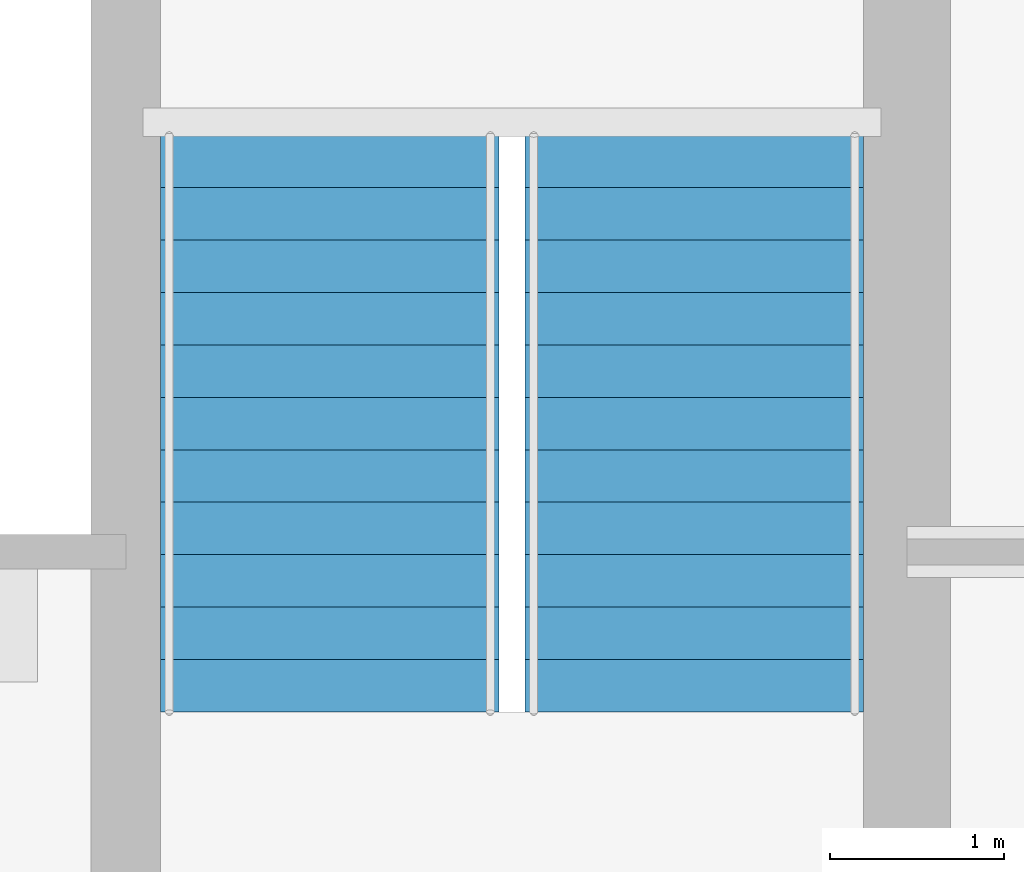
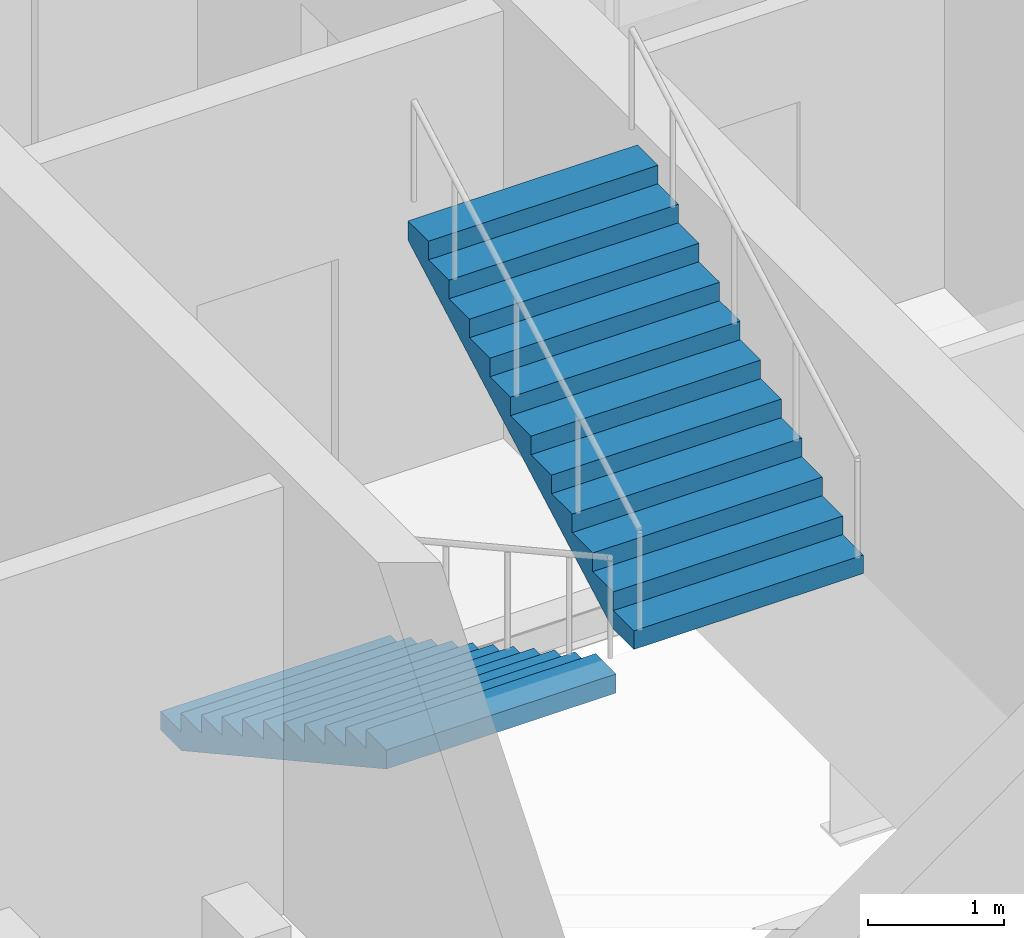
# One storey, part 11 of 13: 2 stair flights, 1 element without a shape of its own.
"""IFC4 building model written with IfcOpenShell, lengths in metres."""

from ifc_helpers import new_model, si_unit, direction, frame, origin, place, context, subcontext, project, spatial, polyline, outline, extrude, material, type_object, element, aggregate, save


model = new_model("IFC4")

# Units and contexts
model_context = context("Model", 3, precision=1e-05, world=origin(), true_north=direction((0.0, 1.0)))
body_context = subcontext(model_context, "Body", "Model", "MODEL_VIEW")
ifc_project = project(units=[si_unit("LENGTHUNIT", "METRE"), si_unit("AREAUNIT", "SQUARE_METRE"), si_unit("VOLUMEUNIT", "CUBIC_METRE"), si_unit("PLANEANGLEUNIT", "RADIAN"), si_unit("MASSUNIT", "GRAM", prefix="KILO")], contexts=[model_context])

# Site, building, storey
site_placement = place(None, origin())
site = spatial("IfcSite", under=ifc_project, at=site_placement, CompositionType="ELEMENT")
building_placement = place(site_placement, origin())
building = spatial("IfcBuilding", under=site, at=building_placement, Name="Corais Broadcast Tower", CompositionType="ELEMENT")
storey_placement = place(building_placement, frame((0.0, 0.0, 167.60009765625)))
storey = spatial("IfcBuildingStorey", under=building, at=storey_placement, Name="L38", CompositionType="ELEMENT", Elevation=167.60009765625)

# Stair, stair flights
ifc_material_1 = material(Name="Concrete C30/37", Category="concrete")
stair_type = type_object("IfcStairType", Name="Half-turn stair 4000", PredefinedType="HALF_TURN_STAIR", material=ifc_material_1)
stair_placement = place(storey_placement, origin())
stair = element("IfcStair", 1, at=stair_placement, inside=storey, type_object=stair_type, Name="Stair B L38", PredefinedType="HALF_TURN_STAIR")
ifc_material_2 = material(Name="Concrete C30/37", Category="concrete")
stair_flight_type = type_object("IfcStairFlightType", Name="Stair flight 4000", PredefinedType="STRAIGHT", material=ifc_material_2)
stair_flight_1_placement = place(storey_placement, frame((37.175048828125, 29.39990234375, 0.0), z_axis=(0.0, 0.0, 1.0), x_axis=(0.0, -1.0, 0.0)))
stair_flight_1 = element("IfcStairFlight", 2, at=stair_flight_1_placement, type_object=stair_flight_type, Name="STB flight 1", NumberOfRisers=12, NumberOfTreads=11, PredefinedType="STRAIGHT", RiserHeight=0.166666667, TreadLength=0.302, context=body_context, shape_type="SweptSolid", body=[
    extrude(outline(polyline([(0.0, 0.0), (0.0, 0.166748046875), (0.302001953125, 0.166748046875), (0.302001953125, 0.333251953125), (0.60400390625, 0.333251953125), (0.60400390625, 0.5), (0.906005859375, 0.5), (0.906005859375, 0.666748046875), (1.2080078125, 0.666748046875), (1.2080078125, 0.833251953125), (1.510009765625, 0.833251953125), (1.510009765625, 1.0), (1.81201171875, 1.0), (1.81201171875, 1.166748046875), (2.114013671875, 1.166748046875), (2.114013671875, 1.333251953125), (2.416015625, 1.333251953125), (2.416015625, 1.5), (2.718017578125, 1.5), (2.718017578125, 1.666748046875), (3.02001953125, 1.666748046875), (3.02001953125, 1.833251953125), (3.322021484375, 1.833251953125), (3.322021484375, 2.0), (3.322021484375, 1.662109375), (0.310302734375, 0.0), (0.0, 0.0)])), frame((0.0, 0.97509765625, 0.0), z_axis=(0.0, -1.0, 0.0), x_axis=(1.0, 0.0, 0.0)), (0.0, 0.0, 1.0), 1.949951171875),
])
stair_flight_2_placement = place(storey_placement, frame((39.27490234375, 26.077880859375, 2.0), z_axis=(0.0, 0.0, 1.0), x_axis=(0.0, 1.0, 0.0)))
stair_flight_2 = element("IfcStairFlight", 3, at=stair_flight_2_placement, type_object=stair_flight_type, Name="STB flight 2", NumberOfRisers=12, NumberOfTreads=11, PredefinedType="STRAIGHT", RiserHeight=0.166666667, TreadLength=0.302, context=body_context, shape_type="SweptSolid", body=[
    extrude(outline(polyline([(0.0, 0.0), (0.0, 0.166748046875), (0.302001953125, 0.166748046875), (0.302001953125, 0.333251953125), (0.60400390625, 0.333251953125), (0.60400390625, 0.5), (0.906005859375, 0.5), (0.906005859375, 0.666748046875), (1.2080078125, 0.666748046875), (1.2080078125, 0.833251953125), (1.510009765625, 0.833251953125), (1.510009765625, 1.0), (1.81201171875, 1.0), (1.81201171875, 1.166748046875), (2.114013671875, 1.166748046875), (2.114013671875, 1.333251953125), (2.416015625, 1.333251953125), (2.416015625, 1.5), (2.718017578125, 1.5), (2.718017578125, 1.666748046875), (3.02001953125, 1.666748046875), (3.02001953125, 1.833251953125), (3.322021484375, 1.833251953125), (3.322021484375, 2.0), (3.322021484375, 1.662109375), (0.310302734375, 0.0), (0.0, 0.0)])), frame((0.0, 0.97509765625, 0.0), z_axis=(0.0, -1.0, 0.0), x_axis=(1.0, 0.0, 0.0)), (0.0, 0.0, 1.0), 1.949951171875),
])
aggregate(stair, [stair_flight_1, stair_flight_2])

save(model, "model.ifc")
